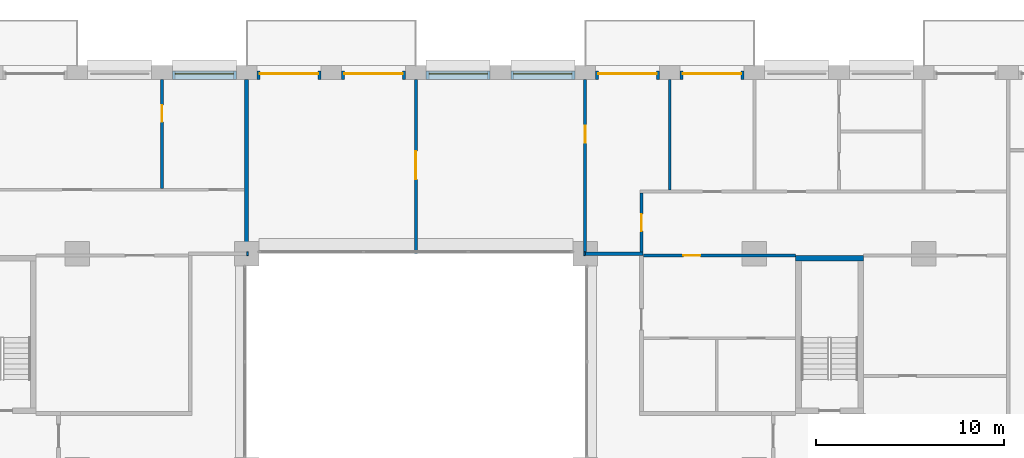
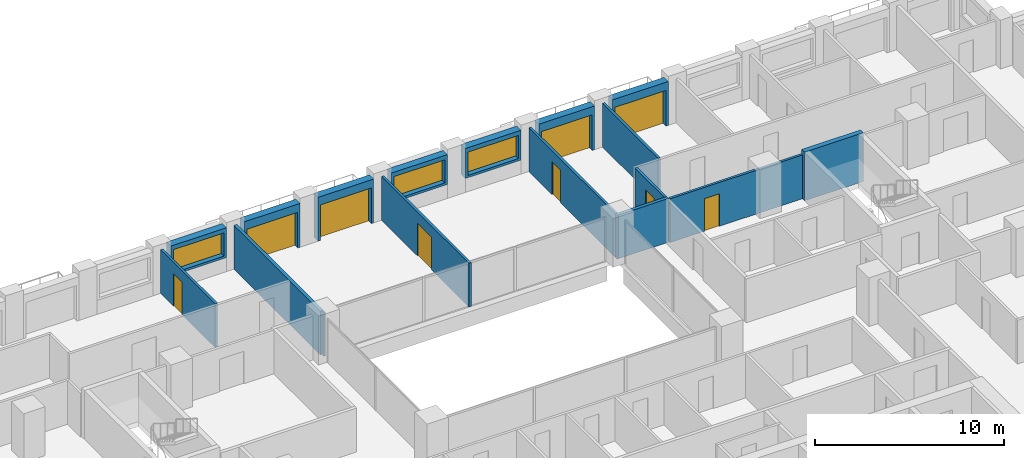
# One storey, part 13 of 16: 18 walls, 9 doors, 3 windows, 12 openings.
"""IFC4 building model written with IfcOpenShell, lengths in metres."""

from ifc_helpers import new_model, si_unit, direction, frame, frame_2d, origin, place, context, subcontext, project, spatial, rectangle, extrude, material, layer, layer_set, type_object, element, fill, save


model = new_model("IFC4")

# Units and contexts
model_context = context("Model", 3, precision=1e-05, world=origin(), true_north=direction((0.0, 1.0)))
body_context = subcontext(model_context, "Body", "Model", "MODEL_VIEW")
ifc_project = project(units=[si_unit("LENGTHUNIT", "METRE"), si_unit("AREAUNIT", "SQUARE_METRE"), si_unit("VOLUMEUNIT", "CUBIC_METRE"), si_unit("PLANEANGLEUNIT", "RADIAN"), si_unit("MASSUNIT", "GRAM", prefix="KILO")], contexts=[model_context])

# Site, building, storey
site_placement = place(None, origin())
site = spatial("IfcSite", under=ifc_project, at=site_placement, CompositionType="ELEMENT")
building_placement = place(site_placement, origin())
building = spatial("IfcBuilding", under=site, at=building_placement, Name="Brigalow Station Residences", CompositionType="ELEMENT")
storey_placement = place(building_placement, frame((0.0, 0.0, 102.449951171875)))
storey = spatial("IfcBuildingStorey", under=building, at=storey_placement, Name="L29", CompositionType="ELEMENT", Elevation=102.449951171875)

# Wall, opening, door
ifc_material_1 = material(Name="Clay brick masonry", Category="masonry")
ifc_layer_1 = layer(ifc_material_1, 0.449951171875)
ifc_layer_set_1 = layer_set([ifc_layer_1], Name="BRICK INFILL WALL 450")
wall_type_1 = type_object("IfcWallType", Name="BRICK INFILL WALL 450", PredefinedType="SOLIDWALL", material=ifc_layer_set_1)
wall_1_placement = place(storey_placement, frame((53.449951171875, 44.97509765625, 0.0), z_axis=(0.0, 0.0, 1.0), x_axis=(-1.0, 0.0, 0.0)))
wall_1 = element("IfcWall", 1, at=wall_1_placement, inside=storey, type_object=wall_type_1, Name="L29/ewall/W-L29-27", PredefinedType="SOLIDWALL", context=body_context, shape_type="SweptSolid", body=[
    extrude(rectangle(XDim=3.39990234375, YDim=0.449951171875, at=frame_2d((1.699951171875, 0.0))), origin(), (0.0, 0.0, 1.0), 2.830078125),
])
opening_1_placement = place(wall_1_placement, frame((0.14990234375, 0.0, 0.0)))
opening_1 = element("IfcOpeningElement", 2, at=opening_1_placement, cuts=wall_1, Name="Opening D-B3100", PredefinedType="OPENING", context=body_context, shape_type="SweptSolid", body=[
    extrude(rectangle(XDim=3.10009765625, YDim=2.300048828125, at=frame_2d((1.550048828125, 1.14990234375))), frame((0.0, 0.23486328125, 0.0), z_axis=(0.0, -1.0, 0.0), x_axis=(1.0, 0.0, 0.0)), (0.0, 0.0, 1.0), 0.469970703125),
])
ifc_material_2 = material(Name="Anodised aluminium frame with double glazing", Category="aluminium")
door_type_1 = type_object("IfcDoorType", Name="BALCONY SLIDING DOOR 3100x2300", OperationType="SLIDING_TO_LEFT", PredefinedType="DOOR", material=ifc_material_2)
door_1_placement = place(opening_1_placement, origin())
door_1 = element("IfcDoor", 3, at=door_1_placement, inside=storey, type_object=door_type_1, Name="L29/balcony-door/W-L29-27", OperationType="SLIDING_TO_LEFT", OverallHeight=2.300048828125, OverallWidth=3.10009765625, PredefinedType="DOOR", context=body_context, shape_type="SweptSolid", body=[
    extrude(rectangle(XDim=3.10009765625, YDim=2.300048828125, at=frame_2d((1.550048828125, 1.14990234375))), frame((0.0, -0.06982421875, 0.0), z_axis=(0.0, -1.0, 0.0), x_axis=(1.0, 0.0, 0.0)), (0.0, 0.0, 1.0), 0.050048828125),
])
fill(opening_1, door_1)

wall_2_placement = place(storey_placement, frame((48.949951171875, 44.97509765625, 0.0), z_axis=(0.0, 0.0, 1.0), x_axis=(-1.0, 0.0, 0.0)))
wall_2 = element("IfcWall", 4, at=wall_2_placement, inside=storey, type_object=wall_type_1, Name="L29/ewall/W-L29-28", PredefinedType="SOLIDWALL", context=body_context, shape_type="SweptSolid", body=[
    extrude(rectangle(XDim=3.39990234375, YDim=0.449951171875, at=frame_2d((1.699951171875, 0.0))), origin(), (0.0, 0.0, 1.0), 2.830078125),
])
opening_2_placement = place(wall_2_placement, frame((0.14990234375, 0.0, 0.0)))
opening_2 = element("IfcOpeningElement", 5, at=opening_2_placement, cuts=wall_2, Name="Opening D-B3100", PredefinedType="OPENING", context=body_context, shape_type="SweptSolid", body=[
    extrude(rectangle(XDim=3.10009765625, YDim=2.300048828125, at=frame_2d((1.550048828125, 1.14990234375))), frame((0.0, 0.23486328125, 0.0), z_axis=(0.0, -1.0, 0.0), x_axis=(1.0, 0.0, 0.0)), (0.0, 0.0, 1.0), 0.469970703125),
])
door_2_placement = place(opening_2_placement, origin())
door_2 = element("IfcDoor", 6, at=door_2_placement, inside=storey, type_object=door_type_1, Name="L29/balcony-door/W-L29-28", OperationType="SLIDING_TO_LEFT", OverallHeight=2.300048828125, OverallWidth=3.10009765625, PredefinedType="DOOR", context=body_context, shape_type="SweptSolid", body=[
    extrude(rectangle(XDim=3.10009765625, YDim=2.300048828125, at=frame_2d((1.550048828125, 1.14990234375))), frame((0.0, -0.06982421875, 0.0), z_axis=(0.0, -1.0, 0.0), x_axis=(1.0, 0.0, 0.0)), (0.0, 0.0, 1.0), 0.050048828125),
])
fill(opening_2, door_2)

# Wall, opening, window
wall_3_placement = place(storey_placement, frame((44.449951171875, 44.97509765625, 0.900146484375), z_axis=(0.0, 0.0, 1.0), x_axis=(-1.0, 0.0, 0.0)))
wall_3 = element("IfcWall", 7, at=wall_3_placement, inside=storey, type_object=wall_type_1, Name="L29/ewall/W-L29-29", PredefinedType="SOLIDWALL", context=body_context, shape_type="SweptSolid", body=[
    extrude(rectangle(XDim=3.39990234375, YDim=0.449951171875, at=frame_2d((1.699951171875, 0.0))), origin(), (0.0, 0.0, 1.0), 1.929931640625),
])
opening_3_placement = place(wall_3_placement, frame((0.14990234375, 0.0, 0.14990234375)))
opening_3 = element("IfcOpeningElement", 8, at=opening_3_placement, cuts=wall_3, Name="Opening WT-8", PredefinedType="OPENING", context=body_context, shape_type="SweptSolid", body=[
    extrude(rectangle(XDim=3.10009765625, YDim=1.5, at=frame_2d((1.550048828125, 0.75))), frame((0.0, 0.23486328125, 0.0), z_axis=(0.0, -1.0, 0.0), x_axis=(1.0, 0.0, 0.0)), (0.0, 0.0, 1.0), 0.469970703125),
])
ifc_material_3 = material(Name="Anodised aluminium frame with double glazing", Category="aluminium")
window_type = type_object("IfcWindowType", Name="WINDOW 3100x1500", PartitioningType="SINGLE_PANEL", PredefinedType="WINDOW", material=ifc_material_3)
window_1_placement = place(opening_3_placement, origin())
window_1 = element("IfcWindow", 9, at=window_1_placement, inside=storey, type_object=window_type, Name="L29/window/W-L29-29", OverallHeight=1.5, OverallWidth=3.10009765625, PartitioningType="SINGLE_PANEL", PredefinedType="WINDOW", context=body_context, shape_type="SweptSolid", body=[
    extrude(rectangle(XDim=3.10009765625, YDim=1.5, at=frame_2d((1.550048828125, 0.75))), frame((0.0, -0.06494140625, 0.0), z_axis=(0.0, -1.0, 0.0), x_axis=(1.0, 0.0, 0.0)), (0.0, 0.0, 1.0), 0.06005859375),
])
fill(opening_3, window_1)

wall_4_placement = place(storey_placement, frame((39.949951171875, 44.97509765625, 0.900146484375), z_axis=(0.0, 0.0, 1.0), x_axis=(-1.0, 0.0, 0.0)))
wall_4 = element("IfcWall", 10, at=wall_4_placement, inside=storey, type_object=wall_type_1, Name="L29/ewall/W-L29-30", PredefinedType="SOLIDWALL", context=body_context, shape_type="SweptSolid", body=[
    extrude(rectangle(XDim=3.39990234375, YDim=0.449951171875, at=frame_2d((1.699951171875, 0.0))), origin(), (0.0, 0.0, 1.0), 1.929931640625),
])
opening_4_placement = place(wall_4_placement, frame((0.14990234375, 0.0, 0.14990234375)))
opening_4 = element("IfcOpeningElement", 11, at=opening_4_placement, cuts=wall_4, Name="Opening WT-8", PredefinedType="OPENING", context=body_context, shape_type="SweptSolid", body=[
    extrude(rectangle(XDim=3.10009765625, YDim=1.5, at=frame_2d((1.550048828125, 0.75))), frame((0.0, 0.23486328125, 0.0), z_axis=(0.0, -1.0, 0.0), x_axis=(1.0, 0.0, 0.0)), (0.0, 0.0, 1.0), 0.469970703125),
])
window_2_placement = place(opening_4_placement, origin())
window_2 = element("IfcWindow", 12, at=window_2_placement, inside=storey, type_object=window_type, Name="L29/window/W-L29-30", OverallHeight=1.5, OverallWidth=3.10009765625, PartitioningType="SINGLE_PANEL", PredefinedType="WINDOW", context=body_context, shape_type="SweptSolid", body=[
    extrude(rectangle(XDim=3.10009765625, YDim=1.5, at=frame_2d((1.550048828125, 0.75))), frame((0.0, -0.06494140625, 0.0), z_axis=(0.0, -1.0, 0.0), x_axis=(1.0, 0.0, 0.0)), (0.0, 0.0, 1.0), 0.06005859375),
])
fill(opening_4, window_2)

# Wall, opening, door
wall_5_placement = place(storey_placement, frame((35.449951171875, 44.97509765625, 0.0), z_axis=(0.0, 0.0, 1.0), x_axis=(-1.0, 0.0, 0.0)))
wall_5 = element("IfcWall", 13, at=wall_5_placement, inside=storey, type_object=wall_type_1, Name="L29/ewall/W-L29-31", PredefinedType="SOLIDWALL", context=body_context, shape_type="SweptSolid", body=[
    extrude(rectangle(XDim=3.39990234375, YDim=0.449951171875, at=frame_2d((1.699951171875, 0.0))), origin(), (0.0, 0.0, 1.0), 2.830078125),
])
opening_5_placement = place(wall_5_placement, frame((0.14990234375, 0.0, 0.0)))
opening_5 = element("IfcOpeningElement", 14, at=opening_5_placement, cuts=wall_5, Name="Opening D-B3100", PredefinedType="OPENING", context=body_context, shape_type="SweptSolid", body=[
    extrude(rectangle(XDim=3.10009765625, YDim=2.300048828125, at=frame_2d((1.550048828125, 1.14990234375))), frame((0.0, 0.23486328125, 0.0), z_axis=(0.0, -1.0, 0.0), x_axis=(1.0, 0.0, 0.0)), (0.0, 0.0, 1.0), 0.469970703125),
])
door_3_placement = place(opening_5_placement, origin())
door_3 = element("IfcDoor", 15, at=door_3_placement, inside=storey, type_object=door_type_1, Name="L29/balcony-door/W-L29-31", OperationType="SLIDING_TO_LEFT", OverallHeight=2.300048828125, OverallWidth=3.10009765625, PredefinedType="DOOR", context=body_context, shape_type="SweptSolid", body=[
    extrude(rectangle(XDim=3.10009765625, YDim=2.300048828125, at=frame_2d((1.550048828125, 1.14990234375))), frame((0.0, -0.06982421875, 0.0), z_axis=(0.0, -1.0, 0.0), x_axis=(1.0, 0.0, 0.0)), (0.0, 0.0, 1.0), 0.050048828125),
])
fill(opening_5, door_3)

wall_6_placement = place(storey_placement, frame((30.949951171875, 44.97509765625, 0.0), z_axis=(0.0, 0.0, 1.0), x_axis=(-1.0, 0.0, 0.0)))
wall_6 = element("IfcWall", 16, at=wall_6_placement, inside=storey, type_object=wall_type_1, Name="L29/ewall/W-L29-32", PredefinedType="SOLIDWALL", context=body_context, shape_type="SweptSolid", body=[
    extrude(rectangle(XDim=3.39990234375, YDim=0.449951171875, at=frame_2d((1.699951171875, 0.0))), origin(), (0.0, 0.0, 1.0), 2.830078125),
])
opening_6_placement = place(wall_6_placement, frame((0.14990234375, 0.0, 0.0)))
opening_6 = element("IfcOpeningElement", 17, at=opening_6_placement, cuts=wall_6, Name="Opening D-B3100", PredefinedType="OPENING", context=body_context, shape_type="SweptSolid", body=[
    extrude(rectangle(XDim=3.10009765625, YDim=2.300048828125, at=frame_2d((1.550048828125, 1.14990234375))), frame((0.0, 0.23486328125, 0.0), z_axis=(0.0, -1.0, 0.0), x_axis=(1.0, 0.0, 0.0)), (0.0, 0.0, 1.0), 0.469970703125),
])
door_4_placement = place(opening_6_placement, origin())
door_4 = element("IfcDoor", 18, at=door_4_placement, inside=storey, type_object=door_type_1, Name="L29/balcony-door/W-L29-32", OperationType="SLIDING_TO_LEFT", OverallHeight=2.300048828125, OverallWidth=3.10009765625, PredefinedType="DOOR", context=body_context, shape_type="SweptSolid", body=[
    extrude(rectangle(XDim=3.10009765625, YDim=2.300048828125, at=frame_2d((1.550048828125, 1.14990234375))), frame((0.0, -0.06982421875, 0.0), z_axis=(0.0, -1.0, 0.0), x_axis=(1.0, 0.0, 0.0)), (0.0, 0.0, 1.0), 0.050048828125),
])
fill(opening_6, door_4)

# Wall, opening, window
wall_7_placement = place(storey_placement, frame((26.449951171875, 44.97509765625, 0.900146484375), z_axis=(0.0, 0.0, 1.0), x_axis=(-1.0, 0.0, 0.0)))
wall_7 = element("IfcWall", 19, at=wall_7_placement, inside=storey, type_object=wall_type_1, Name="L29/ewall/W-L29-33", PredefinedType="SOLIDWALL", context=body_context, shape_type="SweptSolid", body=[
    extrude(rectangle(XDim=3.39990234375, YDim=0.449951171875, at=frame_2d((1.699951171875, 0.0))), origin(), (0.0, 0.0, 1.0), 1.929931640625),
])
opening_7_placement = place(wall_7_placement, frame((0.14990234375, 0.0, 0.14990234375)))
opening_7 = element("IfcOpeningElement", 20, at=opening_7_placement, cuts=wall_7, Name="Opening WT-8", PredefinedType="OPENING", context=body_context, shape_type="SweptSolid", body=[
    extrude(rectangle(XDim=3.10009765625, YDim=1.5, at=frame_2d((1.550048828125, 0.75))), frame((0.0, 0.23486328125, 0.0), z_axis=(0.0, -1.0, 0.0), x_axis=(1.0, 0.0, 0.0)), (0.0, 0.0, 1.0), 0.469970703125),
])
window_3_placement = place(opening_7_placement, origin())
window_3 = element("IfcWindow", 21, at=window_3_placement, inside=storey, type_object=window_type, Name="L29/window/W-L29-33", OverallHeight=1.5, OverallWidth=3.10009765625, PartitioningType="SINGLE_PANEL", PredefinedType="WINDOW", context=body_context, shape_type="SweptSolid", body=[
    extrude(rectangle(XDim=3.10009765625, YDim=1.5, at=frame_2d((1.550048828125, 0.75))), frame((0.0, -0.06494140625, 0.0), z_axis=(0.0, -1.0, 0.0), x_axis=(1.0, 0.0, 0.0)), (0.0, 0.0, 1.0), 0.06005859375),
])
fill(opening_7, window_3)

# Wall
ifc_material_4 = material(Name="Concrete C65", Category="concrete")
ifc_layer_2 = layer(ifc_material_4, 0.300048828125)
ifc_layer_set_2 = layer_set([ifc_layer_2], Name="CORE SHEAR WALL 300 C65")
wall_type_2 = type_object("IfcWallType", Name="CORE SHEAR WALL 300 C65", PredefinedType="SHEAR", material=ifc_layer_set_2)
wall_8_placement = place(storey_placement, frame((56.199951171875, 35.25, 0.0), z_axis=(0.0, 0.0, 1.0), x_axis=(1.0, 0.0, 0.0)))
element("IfcWall", 22, at=wall_8_placement, inside=storey, type_object=wall_type_2, Name="CORE WALL ST-S3-N L29", PredefinedType="SHEAR", context=body_context, shape_type="SweptSolid", body=[
    extrude(rectangle(XDim=3.60009765625, YDim=0.300048828125, at=frame_2d((1.800048828125, 0.0))), origin(), (0.0, 0.0, 1.0), 3.150146484375),
])

# Wall, opening, door
ifc_material_5 = material(Name="Plasterboard on steel stud partition", Category="steel")
ifc_layer_3 = layer(ifc_material_5, 0.14990234375)
ifc_layer_set_3 = layer_set([ifc_layer_3], Name="FLAT PARTITION 150")
wall_type_3 = type_object("IfcWallType", Name="FLAT PARTITION 150", PredefinedType="PARTITIONING", material=ifc_layer_set_3)
wall_9_placement = place(storey_placement, frame((48.10009765625, 35.39990234375, 0.0), z_axis=(0.0, 0.0, 1.0), x_axis=(1.0, 0.0, 0.0)))
wall_9 = element("IfcWall", 23, at=wall_9_placement, inside=storey, type_object=wall_type_3, Name="PW-2C26", PredefinedType="PARTITIONING", context=body_context, shape_type="SweptSolid", body=[
    extrude(rectangle(XDim=8.099853515625, YDim=0.14990234375, at=frame_2d((4.0498046875, 0.0))), origin(), (0.0, 0.0, 1.0), 2.830078125),
])
opening_8_placement = place(wall_9_placement, frame((2.125, 0.0, 0.0)))
opening_8 = element("IfcOpeningElement", 24, at=opening_8_placement, cuts=wall_9, Name="Opening D-2C20", PredefinedType="OPENING", context=body_context, shape_type="SweptSolid", body=[
    extrude(rectangle(XDim=0.89990234375, YDim=2.10009765625, at=frame_2d((0.449951171875, 1.050048828125))), frame((0.0, 0.0849609375, 0.0), z_axis=(0.0, -1.0, 0.0), x_axis=(1.0, 0.0, 0.0)), (0.0, 0.0, 1.0), 0.169921875),
])
ifc_material_6 = material(Name="Solid-core timber door leaf", Category="wood")
door_type_2 = type_object("IfcDoorType", Name="INTERNAL DOOR 900 x 2100", OperationType="SINGLE_SWING_LEFT", PredefinedType="DOOR", material=ifc_material_6)
door_5_placement = place(opening_8_placement, frame((0.89990234375, 0.0, 0.0), z_axis=(0.0, 0.0, 1.0), x_axis=(-1.0, 0.0, 0.0)))
door_5 = element("IfcDoor", 25, at=door_5_placement, inside=storey, type_object=door_type_2, Name="D-2C20", OperationType="SINGLE_SWING_RIGHT", OverallHeight=2.10009765625, OverallWidth=0.89990234375, PredefinedType="DOOR", context=body_context, shape_type="SweptSolid", body=[
    extrude(rectangle(XDim=0.89990234375, YDim=2.10009765625, at=frame_2d((0.449951171875, 1.050048828125))), frame((0.0, 0.02490234375, 0.0), z_axis=(0.0, -1.0, 0.0), x_axis=(1.0, 0.0, 0.0)), (0.0, 0.0, 1.0), 0.050048828125),
])
fill(opening_8, door_5)

wall_10_placement = place(storey_placement, frame((48.0, 35.60009765625, 0.0), z_axis=(0.0, 0.0, 1.0), x_axis=(0.0, 1.0, 0.0)))
wall_10 = element("IfcWall", 26, at=wall_10_placement, inside=storey, type_object=wall_type_3, Name="PW-2C42", PredefinedType="PARTITIONING", context=body_context, shape_type="SweptSolid", body=[
    extrude(rectangle(XDim=3.125, YDim=0.14990234375, at=frame_2d((1.5625, 0.0))), origin(), (0.0, 0.0, 1.0), 2.830078125),
])
opening_9_placement = place(wall_10_placement, frame((1.10009765625, 0.0, 0.0)))
opening_9 = element("IfcOpeningElement", 27, at=opening_9_placement, cuts=wall_10, Name="Opening D-2C21", PredefinedType="OPENING", context=body_context, shape_type="SweptSolid", body=[
    extrude(rectangle(XDim=0.89990234375, YDim=2.10009765625, at=frame_2d((0.449951171875, 1.050048828125))), frame((0.0, 0.0849609375, 0.0), z_axis=(0.0, -1.0, 0.0), x_axis=(1.0, 0.0, 0.0)), (0.0, 0.0, 1.0), 0.169921875),
])
door_6_placement = place(opening_9_placement, origin())
door_6 = element("IfcDoor", 28, at=door_6_placement, inside=storey, type_object=door_type_2, Name="D-2C21", OperationType="SINGLE_SWING_LEFT", OverallHeight=2.10009765625, OverallWidth=0.89990234375, PredefinedType="DOOR", context=body_context, shape_type="SweptSolid", body=[
    extrude(rectangle(XDim=0.89990234375, YDim=2.10009765625, at=frame_2d((0.449951171875, 1.050048828125))), frame((0.0, 0.02490234375, 0.0), z_axis=(0.0, -1.0, 0.0), x_axis=(1.0, 0.0, 0.0)), (0.0, 0.0, 1.0), 0.050048828125),
])
fill(opening_9, door_6)

wall_11_placement = place(storey_placement, frame((22.5, 38.97509765625, 0.0), z_axis=(0.0, 0.0, 1.0), x_axis=(0.0, 1.0, 0.0)))
wall_11 = element("IfcWall", 29, at=wall_11_placement, inside=storey, type_object=wall_type_3, Name="PW-2C51", PredefinedType="PARTITIONING", context=body_context, shape_type="SweptSolid", body=[
    extrude(rectangle(XDim=5.77490234375, YDim=0.14990234375, at=frame_2d((2.887451171875, 0.0))), origin(), (0.0, 0.0, 1.0), 2.830078125),
])
opening_10_placement = place(wall_11_placement, frame((3.52490234375, 0.0, 0.0)))
opening_10 = element("IfcOpeningElement", 30, at=opening_10_placement, cuts=wall_11, Name="Opening D-2C14", PredefinedType="OPENING", context=body_context, shape_type="SweptSolid", body=[
    extrude(rectangle(XDim=0.89990234375, YDim=2.10009765625, at=frame_2d((0.449951171875, 1.050048828125))), frame((0.0, 0.0849609375, 0.0), z_axis=(0.0, -1.0, 0.0), x_axis=(1.0, 0.0, 0.0)), (0.0, 0.0, 1.0), 0.169921875),
])
door_7_placement = place(opening_10_placement, frame((0.89990234375, 0.0, 0.0), z_axis=(0.0, 0.0, 1.0), x_axis=(-1.0, 0.0, 0.0)))
door_7 = element("IfcDoor", 31, at=door_7_placement, inside=storey, type_object=door_type_2, Name="D-2C14", OperationType="SINGLE_SWING_LEFT", OverallHeight=2.10009765625, OverallWidth=0.89990234375, PredefinedType="DOOR", context=body_context, shape_type="SweptSolid", body=[
    extrude(rectangle(XDim=0.89990234375, YDim=2.10009765625, at=frame_2d((0.449951171875, 1.050048828125))), frame((0.0, 0.02490234375, 0.0), z_axis=(0.0, -1.0, 0.0), x_axis=(1.0, 0.0, 0.0)), (0.0, 0.0, 1.0), 0.050048828125),
])
fill(opening_10, door_7)

wall_12_placement = place(storey_placement, frame((36.0, 35.5, 0.0), z_axis=(0.0, 0.0, 1.0), x_axis=(0.0, 1.0, 0.0)))
wall_12 = element("IfcWall", 32, at=wall_12_placement, inside=storey, type_object=wall_type_3, Name="PW-2C52", PredefinedType="PARTITIONING", context=body_context, shape_type="SweptSolid", body=[
    extrude(rectangle(XDim=9.25, YDim=0.14990234375, at=frame_2d((4.625, 0.0))), origin(), (0.0, 0.0, 1.0), 2.830078125),
])
opening_11_placement = place(wall_12_placement, frame((3.949951171875, 0.0, 0.0)))
opening_11 = element("IfcOpeningElement", 33, at=opening_11_placement, cuts=wall_12, Name="Opening D-2C23", PredefinedType="OPENING", context=body_context, shape_type="SweptSolid", body=[
    extrude(rectangle(XDim=1.5, YDim=2.10009765625, at=frame_2d((0.75, 1.050048828125))), frame((0.0, 0.0849609375, 0.0), z_axis=(0.0, -1.0, 0.0), x_axis=(1.0, 0.0, 0.0)), (0.0, 0.0, 1.0), 0.169921875),
])
ifc_material_7 = material(Name="Solid-core timber door leaf", Category="wood")
door_type_3 = type_object("IfcDoorType", Name="INTERNAL DOUBLE DOOR 1500 x 2100", OperationType="DOUBLE_DOOR_SINGLE_SWING", PredefinedType="DOOR", material=ifc_material_7)
door_8_placement = place(opening_11_placement, frame((1.5, 0.0, 0.0), z_axis=(0.0, 0.0, 1.0), x_axis=(-1.0, 0.0, 0.0)))
door_8 = element("IfcDoor", 34, at=door_8_placement, inside=storey, type_object=door_type_3, Name="D-2C23", OperationType="DOUBLE_DOOR_SINGLE_SWING", OverallHeight=2.10009765625, OverallWidth=1.5, PredefinedType="DOOR", context=body_context, shape_type="SweptSolid", body=[
    extrude(rectangle(XDim=1.5, YDim=2.10009765625, at=frame_2d((0.75, 1.050048828125))), frame((0.0, 0.02490234375, 0.0), z_axis=(0.0, -1.0, 0.0), x_axis=(1.0, 0.0, 0.0)), (0.0, 0.0, 1.0), 0.050048828125),
])
fill(opening_11, door_8)

wall_13_placement = place(storey_placement, frame((45.0, 35.60009765625, 0.0), z_axis=(0.0, 0.0, 1.0), x_axis=(0.0, 1.0, 0.0)))
wall_13 = element("IfcWall", 35, at=wall_13_placement, inside=storey, type_object=wall_type_3, Name="PW-2C53", PredefinedType="PARTITIONING", context=body_context, shape_type="SweptSolid", body=[
    extrude(rectangle(XDim=9.14990234375, YDim=0.14990234375, at=frame_2d((4.574951171875, 0.0))), origin(), (0.0, 0.0, 1.0), 2.830078125),
])
opening_12_placement = place(wall_13_placement, frame((5.800048828125, 0.0, 0.0)))
opening_12 = element("IfcOpeningElement", 36, at=opening_12_placement, cuts=wall_13, Name="Opening D-2C22", PredefinedType="OPENING", context=body_context, shape_type="SweptSolid", body=[
    extrude(rectangle(XDim=0.89990234375, YDim=2.10009765625, at=frame_2d((0.449951171875, 1.050048828125))), frame((0.0, 0.0849609375, 0.0), z_axis=(0.0, -1.0, 0.0), x_axis=(1.0, 0.0, 0.0)), (0.0, 0.0, 1.0), 0.169921875),
])
door_9_placement = place(opening_12_placement, frame((0.89990234375, 0.0, 0.0), z_axis=(0.0, 0.0, 1.0), x_axis=(-1.0, 0.0, 0.0)))
door_9 = element("IfcDoor", 37, at=door_9_placement, inside=storey, type_object=door_type_2, Name="D-2C22", OperationType="SINGLE_SWING_LEFT", OverallHeight=2.10009765625, OverallWidth=0.89990234375, PredefinedType="DOOR", context=body_context, shape_type="SweptSolid", body=[
    extrude(rectangle(XDim=0.89990234375, YDim=2.10009765625, at=frame_2d((0.449951171875, 1.050048828125))), frame((0.0, 0.02490234375, 0.0), z_axis=(0.0, -1.0, 0.0), x_axis=(1.0, 0.0, 0.0)), (0.0, 0.0, 1.0), 0.050048828125),
])
fill(opening_12, door_9)

# Walls
wall_14_placement = place(storey_placement, frame((49.5, 38.875, 0.0), z_axis=(0.0, 0.0, 1.0), x_axis=(0.0, 1.0, 0.0)))
element("IfcWall", 38, at=wall_14_placement, inside=storey, type_object=wall_type_3, Name="PW-2C54", PredefinedType="PARTITIONING", context=body_context, shape_type="SweptSolid", body=[
    extrude(rectangle(XDim=5.875, YDim=0.14990234375, at=frame_2d((2.9375, 0.0))), origin(), (0.0, 0.0, 1.0), 2.830078125),
])
ifc_material_8 = material(Name="Plasterboard on steel stud partition", Category="steel")
ifc_layer_4 = layer(ifc_material_8, 0.199951171875)
ifc_layer_set_4 = layer_set([ifc_layer_4], Name="PARTY AND CORRIDOR WALL 200")
wall_type_4 = type_object("IfcWallType", Name="PARTY AND CORRIDOR WALL 200", PredefinedType="PARTITIONING", material=ifc_layer_set_4)
wall_15_placement = place(storey_placement, frame((27.0, 35.5, 0.0), z_axis=(0.0, 0.0, 1.0), x_axis=(1.0, 0.0, 0.0)))
element("IfcWall", 39, at=wall_15_placement, inside=storey, type_object=wall_type_4, Name="PW-2C08", PredefinedType="PARTITIONING", context=body_context, shape_type="SweptSolid", body=[
    extrude(rectangle(XDim=0.10009765625, YDim=0.199951171875, at=frame_2d((0.050048828125, 0.0))), origin(), (0.0, 0.0, 1.0), 2.830078125),
])
wall_16_placement = place(storey_placement, frame((44.925048828125, 35.5, 0.0), z_axis=(0.0, 0.0, 1.0), x_axis=(1.0, 0.0, 0.0)))
element("IfcWall", 40, at=wall_16_placement, inside=storey, type_object=wall_type_4, Name="PW-2C09", PredefinedType="PARTITIONING", context=body_context, shape_type="SweptSolid", body=[
    extrude(rectangle(XDim=0.074951171875, YDim=0.199951171875, at=frame_2d((0.03759765625, 0.0))), origin(), (0.0, 0.0, 1.0), 2.830078125),
])
wall_17_placement = place(storey_placement, frame((45.0, 35.5, 0.0), z_axis=(0.0, 0.0, 1.0), x_axis=(1.0, 0.0, 0.0)))
element("IfcWall", 41, at=wall_17_placement, inside=storey, type_object=wall_type_4, Name="PW-2C10", PredefinedType="PARTITIONING", context=body_context, shape_type="SweptSolid", body=[
    extrude(rectangle(XDim=3.074951171875, YDim=0.199951171875, at=frame_2d((1.53759765625, 0.0))), origin(), (0.0, 0.0, 1.0), 2.830078125),
])
wall_18_placement = place(storey_placement, frame((27.0, 35.60009765625, 0.0), z_axis=(0.0, 0.0, 1.0), x_axis=(0.0, 1.0, 0.0)))
element("IfcWall", 42, at=wall_18_placement, inside=storey, type_object=wall_type_4, Name="PW-2C50", PredefinedType="PARTITIONING", context=body_context, shape_type="SweptSolid", body=[
    extrude(rectangle(XDim=9.14990234375, YDim=0.199951171875, at=frame_2d((4.574951171875, 0.0))), origin(), (0.0, 0.0, 1.0), 2.830078125),
])

save(model, "model.ifc")
